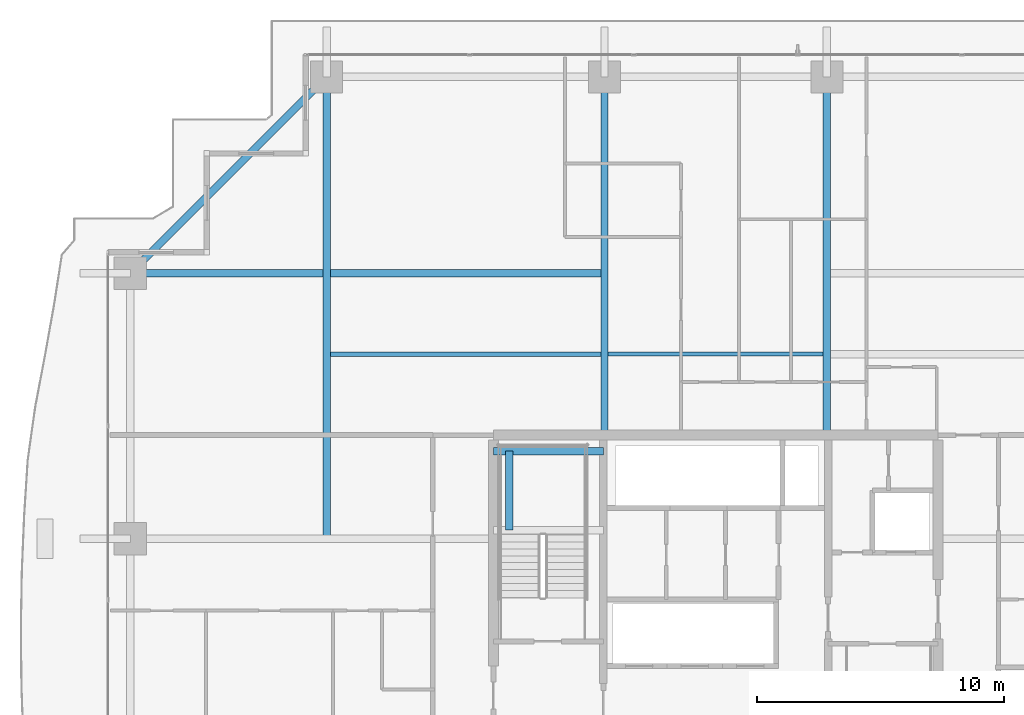
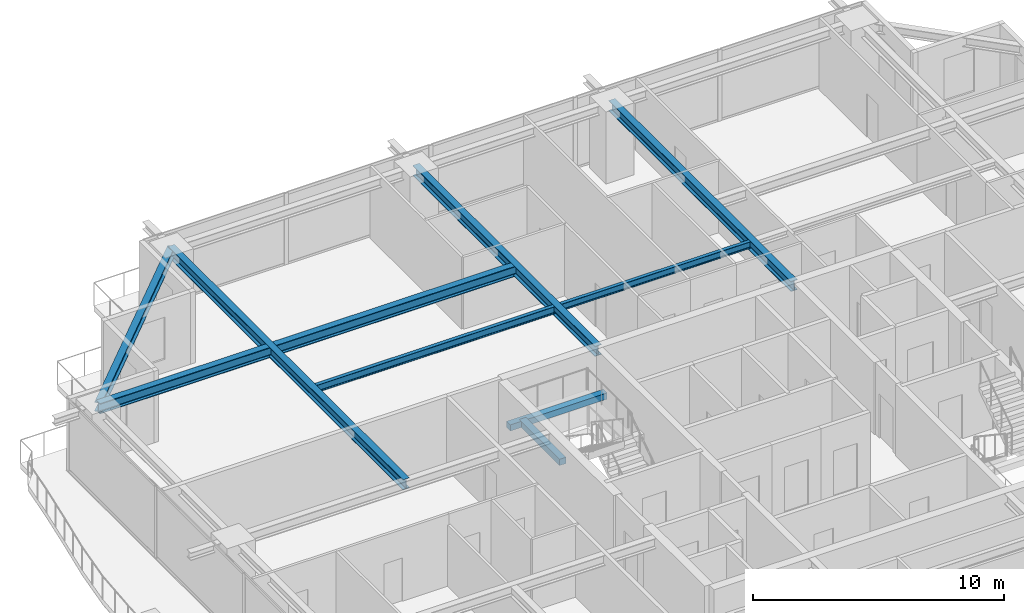
# One storey, part 16 of 35: 9 beams.
"""IFC4 building model written with IfcOpenShell, lengths in metres."""

from ifc_helpers import new_model, si_unit, direction, frame, origin, origin_2d, place, context, subcontext, project, spatial, rectangle, i_section, extrude, source, transform, mapped, material, material_profile, profile_set, type_object, element, save


model = new_model("IFC4")

# Units and contexts
model_context = context("Model", 3, precision=1e-05, world=origin(), true_north=direction((0.0, 1.0)))
body_context = subcontext(model_context, "Body", "Model", "MODEL_VIEW")
ifc_project = project(units=[si_unit("LENGTHUNIT", "METRE"), si_unit("AREAUNIT", "SQUARE_METRE"), si_unit("VOLUMEUNIT", "CUBIC_METRE"), si_unit("PLANEANGLEUNIT", "RADIAN"), si_unit("MASSUNIT", "GRAM", prefix="KILO")], contexts=[model_context])

# Site, building, storey
site_placement = place(None, origin())
site = spatial("IfcSite", under=ifc_project, at=site_placement, CompositionType="ELEMENT")
building_placement = place(site_placement, origin())
building = spatial("IfcBuilding", under=site, at=building_placement, Name="Serunith Strait Residences", CompositionType="ELEMENT")
storey_placement = place(building_placement, frame((0.0, 0.0, 157.64990234375)))
storey = spatial("IfcBuildingStorey", under=building, at=storey_placement, Name="L39", CompositionType="ELEMENT", Elevation=157.64990234375)

# Beams
ifc_material_1 = material(Name="Steel S355J2", Category="steel")
ifc_material_profile_1 = material_profile(ifc_material_1, i_section(OverallWidth=0.159912109375, OverallDepth=0.330078125, WebThickness=0.007568359375, FlangeThickness=0.011474609375, FilletRadius=0.01806640625, at=origin_2d()), Name="IPE 330")
ifc_profile_set_1 = profile_set([ifc_material_profile_1], Name="Steel S355J2")
beam_type_1 = type_object("IfcBeamType", Name="BM-IPE330", PredefinedType="JOIST", material=ifc_profile_set_1)
shared_shape_1 = source(origin(), body_context, "Body", "SweptSolid", [
    extrude(i_section(OverallWidth=0.159912109375, OverallDepth=0.330078125, WebThickness=0.007568359375, FlangeThickness=0.011474609375, FilletRadius=0.01806640625, at=origin_2d()), origin(), (0.0, 0.0, 1.0), 8.699951171875),
])
beam_1_placement = place(storey_placement, frame((28.050048828125, 36.875, 3.322021484375), z_axis=(1.0, 0.0, 0.0), x_axis=(0.0, 1.0, 0.0)))
element("IfcBeam", 1, at=beam_1_placement, inside=storey, type_object=beam_type_1, Name="L39 Composite Floor Joist 05", PredefinedType="JOIST", context=body_context, shape_type="MappedRepresentation", body=[
    mapped(shared_shape_1, transform((0.0, 0.0, 0.0), scale=1.0)),
])
ifc_material_profile_2 = material_profile(ifc_material_1, i_section(OverallWidth=0.300048828125, OverallDepth=0.5, WebThickness=0.014404296875, FlangeThickness=0.028076171875, FilletRadius=0.027099609375, at=origin_2d()), Name="HEB 500")
ifc_profile_set_2 = profile_set([ifc_material_profile_2], Name="Steel S355J2")
beam_type_2 = type_object("IfcBeamType", Name="BM-HEB500", PredefinedType="BEAM", material=ifc_profile_set_2)
shared_shape_2 = source(origin(), body_context, "Body", "SweptSolid", [
    extrude(i_section(OverallWidth=0.300048828125, OverallDepth=0.5, WebThickness=0.014404296875, FlangeThickness=0.028076171875, FilletRadius=0.027099609375, at=origin_2d()), origin(), (0.0, 0.0, 1.0), 14.5),
])
for number, where, z_axis, x_axis, name in (
    (2, (27.89990234375, 33.60009765625, 3.237060546875), (0.0, 1.0, 0.0), (-1.0, 0.0, 0.0), "L39 Primary Floor Girder TC-N2"),
    (3, (36.89990234375, 33.60009765625, 3.237060546875), (0.0, 1.0, 0.0), (-1.0, 0.0, 0.0), "L39 Primary Floor Girder TC-N3"),
):
    element("IfcBeam", number, at=place(storey_placement, frame(where, z_axis=z_axis, x_axis=x_axis)), inside=storey, type_object=beam_type_2, Name=name, PredefinedType="BEAM", context=body_context, shape_type="MappedRepresentation", body=[
        mapped(shared_shape_2, transform((0.0, 0.0, 0.0), scale=1.0)),
    ])
shared_shape_3 = source(origin(), body_context, "Body", "SweptSolid", [
    extrude(i_section(OverallWidth=0.300048828125, OverallDepth=0.5, WebThickness=0.014404296875, FlangeThickness=0.028076171875, FilletRadius=0.027099609375, at=origin_2d()), origin(), (0.0, 0.0, 1.0), 18.7001953125),
])
beam_2_placement = place(storey_placement, frame((16.64990234375, 29.39990234375, 3.237060546875), z_axis=(0.0, 1.0, 0.0), x_axis=(-1.0, 0.0, 0.0)))
element("IfcBeam", 4, at=beam_2_placement, inside=storey, type_object=beam_type_2, Name="L39 Orthogonal Corner Girder TC-N1", PredefinedType="BEAM", context=body_context, shape_type="MappedRepresentation", body=[
    mapped(shared_shape_3, transform((0.0, 0.0, 0.0), scale=1.0)),
])
shared_shape_4 = source(origin(), body_context, "Body", "SweptSolid", [
    extrude(i_section(OverallWidth=0.300048828125, OverallDepth=0.5, WebThickness=0.014404296875, FlangeThickness=0.028076171875, FilletRadius=0.027099609375, at=origin_2d()), origin(), (0.0, 0.0, 1.0), 19.199951171875),
])
beam_3_placement = place(storey_placement, frame((27.89990234375, 40.14990234375, 3.237060546875), z_axis=(-1.0, 0.0, 0.0), x_axis=(0.0, -1.0, 0.0)))
element("IfcBeam", 5, at=beam_3_placement, inside=storey, type_object=beam_type_2, Name="L39 Orthogonal Corner Girder TC-W4", PredefinedType="BEAM", context=body_context, shape_type="MappedRepresentation", body=[
    mapped(shared_shape_4, transform((0.0, 0.0, 0.0), scale=1.0)),
])
ifc_material_profile_3 = material_profile(ifc_material_1, i_section(OverallWidth=0.300048828125, OverallDepth=0.449951171875, WebThickness=0.013916015625, FlangeThickness=0.02587890625, FilletRadius=0.027099609375, at=origin_2d()), Name="HEB 450")
ifc_profile_set_3 = profile_set([ifc_material_profile_3], Name="Steel S355J2")
beam_type_3 = type_object("IfcBeamType", Name="BM-HEB450", PredefinedType="BEAM", material=ifc_profile_set_3)
shared_shape_5 = source(origin(), body_context, "Body", "SweptSolid", [
    extrude(i_section(OverallWidth=0.300048828125, OverallDepth=0.449951171875, WebThickness=0.013916015625, FlangeThickness=0.02587890625, FilletRadius=0.027099609375, at=origin_2d()), origin(), (0.0, 0.0, 1.0), 11.2431640625),
])
beam_4_placement = place(storey_placement, frame((16.64990234375, 48.10009765625, 3.232177734375), z_axis=(-0.707095923751, -0.707117638455, 0.0), x_axis=(0.707117638455, -0.707095923751, 0.0)))
element("IfcBeam", 6, at=beam_4_placement, inside=storey, type_object=beam_type_3, Name="L39 Perimeter Ring Beam 12", PredefinedType="BEAM", context=body_context, shape_type="MappedRepresentation", body=[
    mapped(shared_shape_5, transform((0.0, 0.0, 0.0), scale=1.0)),
])
ifc_material_profile_4 = material_profile(ifc_material_1, i_section(OverallWidth=0.169921875, OverallDepth=0.360107421875, WebThickness=0.008056640625, FlangeThickness=0.0126953125, FilletRadius=0.01806640625, at=origin_2d()), Name="IPE 360")
ifc_profile_set_4 = profile_set([ifc_material_profile_4], Name="Steel S355J2")
beam_type_4 = type_object("IfcBeamType", Name="BM-IPE360", PredefinedType="JOIST", material=ifc_profile_set_4)
shared_shape_6 = source(origin(), body_context, "Body", "SweptSolid", [
    extrude(i_section(OverallWidth=0.169921875, OverallDepth=0.360107421875, WebThickness=0.008056640625, FlangeThickness=0.0126953125, FilletRadius=0.01806640625, at=origin_2d()), origin(), (0.0, 0.0, 1.0), 10.949951171875),
])
beam_5_placement = place(storey_placement, frame((16.800048828125, 36.875, 3.30712890625), z_axis=(1.0, 0.0, 0.0), x_axis=(0.0, 1.0, 0.0)))
element("IfcBeam", 7, at=beam_5_placement, inside=storey, type_object=beam_type_4, Name="L39 Composite Floor Joist 04", PredefinedType="JOIST", context=body_context, shape_type="MappedRepresentation", body=[
    mapped(shared_shape_6, transform((0.0, 0.0, 0.0), scale=1.0)),
])
ifc_material_2 = material(Name="Concrete C60/75", Category="concrete")
ifc_material_profile_5 = material_profile(ifc_material_2, rectangle(XDim=0.300048828125, YDim=0.300048828125, at=origin_2d()), Name="RC 300x300")
ifc_profile_set_5 = profile_set([ifc_material_profile_5], Name="Concrete C60/75")
beam_type_5 = type_object("IfcBeamType", Name="BM-LAND-300x300", PredefinedType="BEAM", material=ifc_profile_set_5)
shared_shape_7 = source(origin(), body_context, "Body", "SweptSolid", [
    extrude(rectangle(XDim=0.300048828125, YDim=0.300048828125, at=origin_2d()), origin(), (0.0, 0.0, 1.0), 4.4501953125),
])
beam_6_placement = place(storey_placement, frame((23.39990234375, 32.949951171875, 1.525146484375), z_axis=(1.0, 0.0, 0.0), x_axis=(0.0, 1.0, 0.0)))
element("IfcBeam", 8, at=beam_6_placement, inside=storey, type_object=beam_type_5, Name="L39 ST-1 Landing Support Beam 2", PredefinedType="BEAM", context=body_context, shape_type="MappedRepresentation", body=[
    mapped(shared_shape_7, transform((0.0, 0.0, 0.0), scale=1.0)),
])
shared_shape_8 = source(origin(), body_context, "Body", "SweptSolid", [
    extrude(rectangle(XDim=0.300048828125, YDim=0.300048828125, at=origin_2d()), origin(), (0.0, 0.0, 1.0), 3.199951171875),
])
beam_7_placement = place(storey_placement, frame((24.050048828125, 29.75, 1.525146484375), z_axis=(0.0, 1.0, 0.0), x_axis=(-1.0, 0.0, 0.0)))
element("IfcBeam", 9, at=beam_7_placement, inside=storey, type_object=beam_type_5, Name="L39 ST-1 Landing Transverse Tie Beam", PredefinedType="BEAM", context=body_context, shape_type="MappedRepresentation", body=[
    mapped(shared_shape_8, transform((0.0, 0.0, 0.0), scale=1.0)),
])

save(model, "model.ifc")
